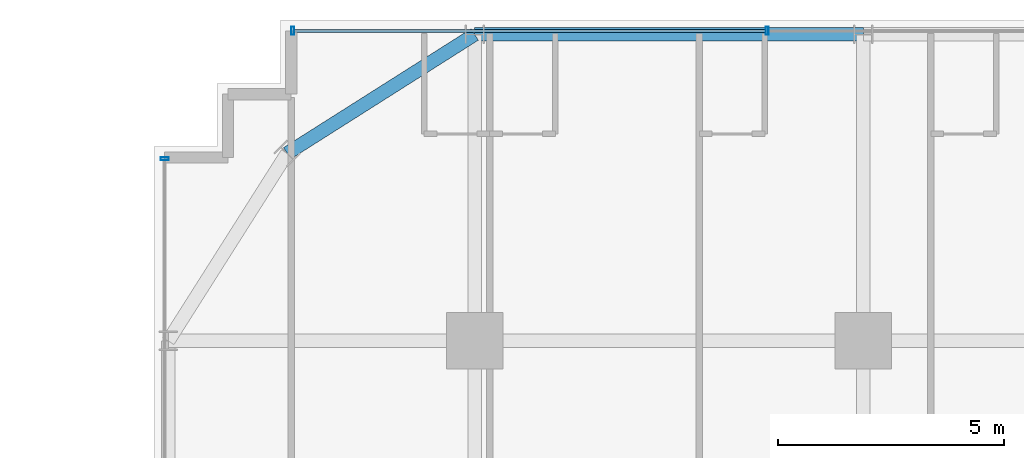
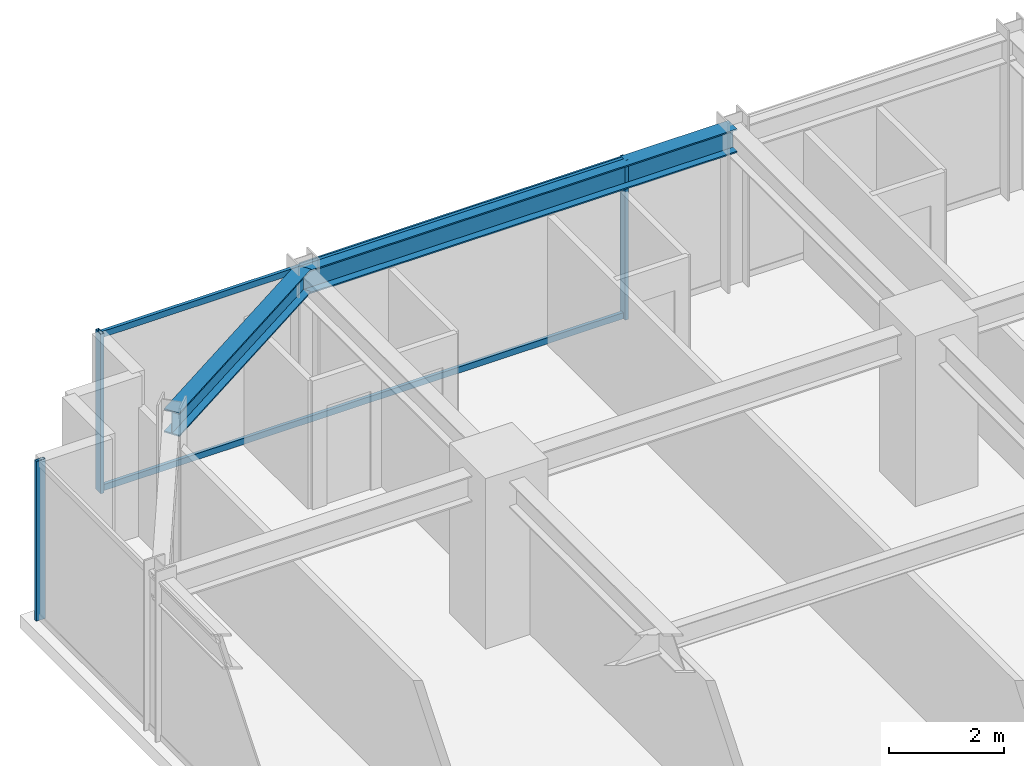
# One storey, part 18 of 31: 5 members, 2 beams, 2 elements without a shape of their own.
"""IFC4 building model written with IfcOpenShell, lengths in metres."""

from ifc_helpers import new_model, si_unit, direction, frame, origin, origin_2d, place, context, subcontext, project, spatial, hollow_rectangle, i_section, extrude, source, transform, mapped, material, material_profile, profile_set, type_object, element, aggregate, save


model = new_model("IFC4")

# Units and contexts
model_context = context("Model", 3, precision=1e-05, world=origin(), true_north=direction((0.0, 1.0)))
body_context = subcontext(model_context, "Body", "Model", "MODEL_VIEW")
ifc_project = project(units=[si_unit("LENGTHUNIT", "METRE"), si_unit("AREAUNIT", "SQUARE_METRE"), si_unit("VOLUMEUNIT", "CUBIC_METRE"), si_unit("PLANEANGLEUNIT", "RADIAN"), si_unit("MASSUNIT", "GRAM", prefix="KILO")], contexts=[model_context])

# Site, building, storey
site_placement = place(None, origin())
site = spatial("IfcSite", under=ifc_project, at=site_placement, CompositionType="ELEMENT")
building_placement = place(site_placement, origin())
building = spatial("IfcBuilding", under=site, at=building_placement, Name="Nahalor Promenade Grand Hotel", CompositionType="ELEMENT")
storey_placement = place(building_placement, frame((0.0, 0.0, 95.60009765625)))
storey = spatial("IfcBuildingStorey", under=building, at=storey_placement, Name="L23", CompositionType="ELEMENT", Elevation=95.60009765625)

# Beams
ifc_material_1 = material(Name="Steel S355JR", Category="steel")
ifc_material_profile_1 = material_profile(ifc_material_1, i_section(OverallWidth=0.3, OverallDepth=0.5, WebThickness=0.0145, FlangeThickness=0.028, at=origin_2d()), Name="HEB 500")
ifc_profile_set_1 = profile_set([ifc_material_profile_1], Name="Steel S355JR")
beam_type = type_object("IfcBeamType", Name="Beam-Spandrel-HEB500", PredefinedType="SPANDREL", material=ifc_profile_set_1)
shared_shape_1 = source(origin(), body_context, "Body", "SweptSolid", [
    extrude(i_section(OverallWidth=0.3, OverallDepth=0.5, WebThickness=0.0145, FlangeThickness=0.028, at=origin_2d()), origin(), (0.0, 0.0, 1.0), 8.60009765625),
])
beam_1_placement = place(storey_placement, frame((-17.0, 23.780029296875, 3.1298828125), z_axis=(1.0, 0.0, 0.0), x_axis=(0.0, 1.0, 0.0)))
element("IfcBeam", 1, at=beam_1_placement, inside=storey, type_object=beam_type, Name="BM-L23-SP-N-0", PredefinedType="SPANDREL", context=body_context, shape_type="MappedRepresentation", body=[
    mapped(shared_shape_1, transform((0.0, 0.0, 0.0), scale=1.0)),
])
shared_shape_2 = source(origin(), body_context, "Body", "SweptSolid", [
    extrude(i_section(OverallWidth=0.3, OverallDepth=0.5, WebThickness=0.0145, FlangeThickness=0.028, at=origin_2d()), origin(), (0.0, 0.0, 1.0), 4.9130859375),
])
beam_2_placement = place(storey_placement, frame((-17.0, 23.780029296875, 3.1298828125), z_axis=(-0.844648325505, -0.535321591403, 0.0), x_axis=(0.535321591403, -0.844648325505, 0.0)))
element("IfcBeam", 2, at=beam_2_placement, inside=storey, type_object=beam_type, Name="BM-L23-SPC-NW-1", PredefinedType="SPANDREL", context=body_context, shape_type="MappedRepresentation", body=[
    mapped(shared_shape_2, transform((0.0, 0.0, 0.0), scale=1.0)),
])

# Curtain wall, members
ifc_material_2 = material(Name="Anodised Bronze Aluminium EN AW-6063 T6", Category="aluminium")
curtain_wall_type = type_object("IfcCurtainWallType", Name="CW2 Typical Hotel Flush Bronze Unitised Curtain Wall", PredefinedType="USERDEFINED", material=ifc_material_2)
curtain_wall_1_placement = place(storey_placement, origin())
curtain_wall_1 = element("IfcCurtainWall", 3, at=curtain_wall_1_placement, inside=storey, type_object=curtain_wall_type, Name="L23 Curtain Wall CW-L23-N-1", ObjectType="UNITISED_CURTAIN_WALL", PredefinedType="USERDEFINED")
ifc_material_profile_2 = material_profile(ifc_material_2, hollow_rectangle(XDim=0.065, YDim=0.18, WallThickness=0.004, at=origin_2d()), Name="CWM 65x180x4")
ifc_profile_set_2 = profile_set([ifc_material_profile_2], Name="Anodised Bronze Aluminium EN AW-6063 T6")
member_type_1 = type_object("IfcMemberType", Name="CWM2 Typical Bronze Mullion 65x180", PredefinedType="MULLION", material=ifc_profile_set_2)
shared_shape_3 = source(origin(), body_context, "Body", "SweptSolid", [
    extrude(hollow_rectangle(XDim=0.065, YDim=0.18, WallThickness=0.004, at=origin_2d()), origin(), (0.0, 0.0, 1.0), 3.3798828125),
])
member_1_placement = place(storey_placement, frame((-21.027587890625, 23.860107421875, 0.0), z_axis=(0.0, 0.0, 1.0), x_axis=(1.0, 0.0, 0.0)))
member_1 = element("IfcMember", 4, at=member_1_placement, type_object=member_type_1, Name="CW-L23-N-1 Mullion 0", PredefinedType="MULLION", context=body_context, shape_type="MappedRepresentation", body=[
    mapped(shared_shape_3, transform((0.0, 0.0, 0.0), scale=1.0)),
])
member_2_placement = place(storey_placement, frame((-10.530029296875, 23.860107421875, 0.0), z_axis=(0.0, 0.0, 1.0), x_axis=(1.0, 0.0, 0.0)))
member_2 = element("IfcMember", 5, at=member_2_placement, type_object=member_type_1, Name="CW-L23-N-1 Mullion 1", PredefinedType="MULLION", context=body_context, shape_type="MappedRepresentation", body=[
    mapped(shared_shape_3, transform((0.0, 0.0, 0.0), scale=1.0)),
])

# Curtain wall, member
curtain_wall_2_placement = place(storey_placement, origin())
curtain_wall_2 = element("IfcCurtainWall", 6, at=curtain_wall_2_placement, inside=storey, type_object=curtain_wall_type, Name="L23 Curtain Wall CW-L23-W-3", ObjectType="UNITISED_CURTAIN_WALL", PredefinedType="USERDEFINED")
member_3_placement = place(storey_placement, frame((-23.860107421875, 21.027587890625, 0.0), z_axis=(0.0, 0.0, 1.0), x_axis=(0.0, 1.0, 0.0)))
member_3 = element("IfcMember", 7, at=member_3_placement, type_object=member_type_1, Name="CW-L23-W-3 Mullion 3", PredefinedType="MULLION", context=body_context, shape_type="MappedRepresentation", body=[
    mapped(shared_shape_3, transform((0.0, 0.0, 0.0), scale=1.0)),
])
aggregate(curtain_wall_2, [member_3])

# Member
ifc_material_profile_3 = material_profile(ifc_material_2, hollow_rectangle(XDim=0.065, YDim=0.13, WallThickness=0.004, at=origin_2d()), Name="CWT 65x130x4")
ifc_profile_set_3 = profile_set([ifc_material_profile_3], Name="Anodised Bronze Aluminium EN AW-6063 T6")
member_type_2 = type_object("IfcMemberType", Name="CWT2 Typical Bronze Transom 65x130", PredefinedType="USERDEFINED", material=ifc_profile_set_3)
shared_shape_4 = source(origin(), body_context, "Body", "SweptSolid", [
    extrude(hollow_rectangle(XDim=0.065, YDim=0.13, WallThickness=0.004, at=origin_2d()), origin(), (0.0, 0.0, 1.0), 10.4326171875),
])
member_4_placement = place(storey_placement, frame((-20.9951171875, 23.860107421875, 0.06494140625), z_axis=(1.0, 0.0, 0.0), x_axis=(0.0, 1.0, 0.0)))
member_4 = element("IfcMember", 8, at=member_4_placement, type_object=member_type_2, Name="CW-L23-N-1 Transom 0-0", ObjectType="TRANSOM", PredefinedType="USERDEFINED", context=body_context, shape_type="MappedRepresentation", body=[
    mapped(shared_shape_4, transform((0.0, 0.0, 0.0), scale=1.0)),
])

member_5_placement = place(storey_placement, frame((-20.9951171875, 23.860107421875, 3.31494140625), z_axis=(1.0, 0.0, 0.0), x_axis=(0.0, 1.0, 0.0)))
member_5 = element("IfcMember", 9, at=member_5_placement, type_object=member_type_2, Name="CW-L23-N-1 Transom 0-1", ObjectType="TRANSOM", PredefinedType="USERDEFINED", context=body_context, shape_type="MappedRepresentation", body=[
    mapped(shared_shape_4, transform((0.0, 0.0, 0.0), scale=1.0)),
])

aggregate(curtain_wall_1, [member_1, member_2, member_4, member_5])

save(model, "model.ifc")
